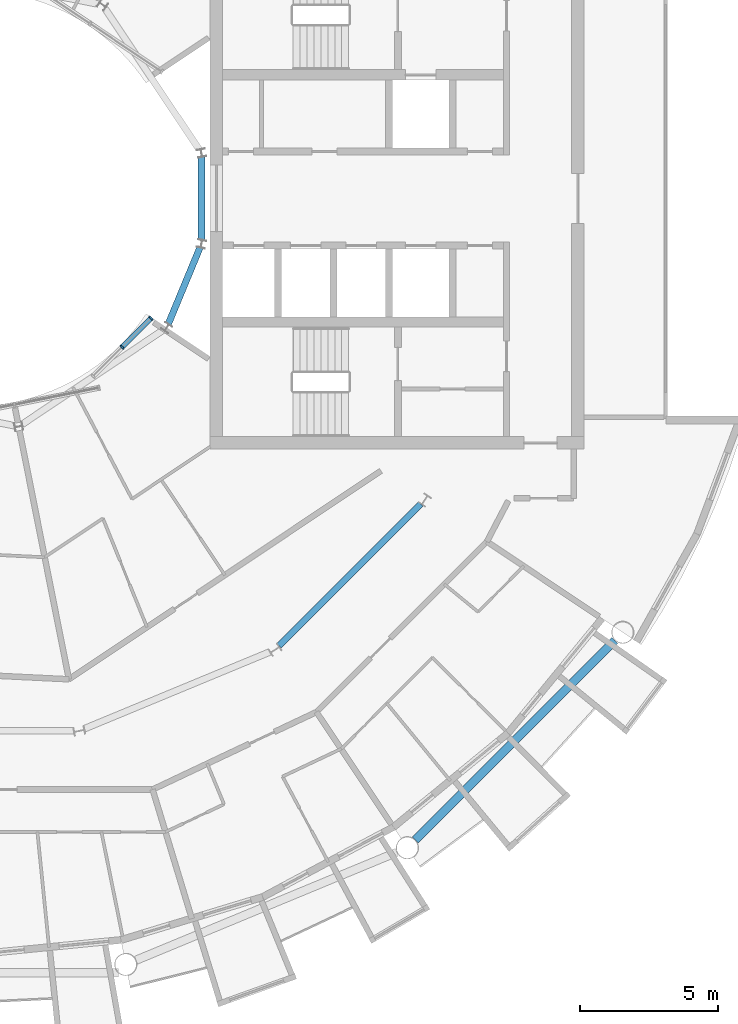
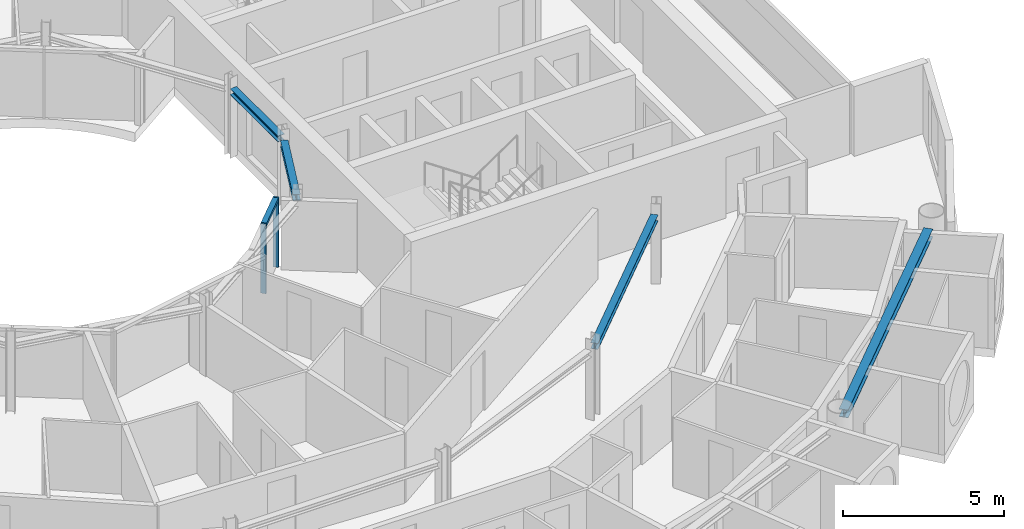
# One storey, part 8 of 28: 4 beams, 3 members, 1 element without a shape of its own.
"""IFC4 building model written with IfcOpenShell, lengths in metres."""

import ifcopenshell
import ifcopenshell.guid

model = None  # the IFC model being written
_history = None  # IfcOwnerHistory: only IFC2X3 demands one
_inside = {}  # id of a spatial element -> (the spatial element, [elements in it])
_under = {}  # id of a project, library or spatial element -> (it, [spatial elements below it])
_declared = {}  # id of a project -> (the project, [libraries it declares])
_typed = {}  # id of a type object -> (the type object, [elements of that type])
_made_of = {}  # id of a material, layer set ... -> (it, [elements and type objects made of it])


def new_model(schema):
    """Start an empty IFC model of exactly this schema.

    Asked for "IFC4X3", IfcOpenShell would pick the latest addendum, in which some entities
    have other attributes; the version numbers below select the first issue.
    IFC2X3 requires an IfcOwnerHistory on every rooted entity: one is made here for all.
    """
    global model, _history
    if schema == "IFC4X3":
        model = ifcopenshell.file(schema_version=(4, 3, 0, 0))
    else:
        model = ifcopenshell.file(schema=schema)
    _inside.clear()
    _under.clear()
    _declared.clear()
    _typed.clear()
    _made_of.clear()
    _history = None
    if model.schema == "IFC2X3":
        org = make("IfcOrganization", Name="unknown")
        user = make(
            "IfcPersonAndOrganization",
            ThePerson=make("IfcPerson", FamilyName="unknown"),
            TheOrganization=org,
        )
        app = make(
            "IfcApplication",
            ApplicationDeveloper=org,
            Version="unknown",
            ApplicationFullName="unknown",
            ApplicationIdentifier="unknown",
        )
        _history = make(
            "IfcOwnerHistory",
            OwningUser=user,
            OwningApplication=app,
            ChangeAction="ADDED",
            CreationDate=0,
        )
    return model


def make(cls, **values):
    """One entity of the class cls with the attributes given. An attribute that is None is left unset."""
    return model.create_entity(
        cls, **{name: value for name, value in values.items() if value is not None}
    )


def rooted(cls, **values):
    """An entity with a GlobalId (a new one), such as an element, a storey or a relation."""
    return make(cls, GlobalId=ifcopenshell.guid.new(), OwnerHistory=_history, **values)


def si_unit(unit_type, name, prefix=None):
    """IfcSIUnit, for example si_unit("LENGTHUNIT", "METRE", prefix="MILLI")."""
    return make("IfcSIUnit", UnitType=unit_type, Prefix=prefix, Name=name)


def assignment(units):
    """IfcUnitAssignment: the units of a project."""
    return None if units is None else make("IfcUnitAssignment", Units=units)


def point(xyz):
    """IfcCartesianPoint."""
    return None if xyz is None else make("IfcCartesianPoint", Coordinates=xyz)


def direction(xyz):
    """IfcDirection."""
    return None if xyz is None else make("IfcDirection", DirectionRatios=xyz)


def frame(location, z_axis=None, x_axis=None):
    """IfcAxis2Placement3D, a coordinate frame: its origin and axes. An axis left out is left unset."""
    return make(
        "IfcAxis2Placement3D",
        Location=point(location),
        Axis=direction(z_axis),
        RefDirection=direction(x_axis),
    )


def frame_2d(location, x_axis=None):
    """IfcAxis2Placement2D, a coordinate frame in the plane: its origin and x axis."""
    return make(
        "IfcAxis2Placement2D", Location=point(location), RefDirection=direction(x_axis)
    )


def origin():
    """The frame at (0, 0, 0) with its axes left unset."""
    return frame((0.0, 0.0, 0.0))


def origin_2d():
    """The frame at (0, 0) in the plane with its x axis left unset."""
    return frame_2d((0.0, 0.0))


def place(relative_to, where):
    """IfcLocalPlacement: puts the frame where relative to a parent placement (None: the world)."""
    return make(
        "IfcLocalPlacement", PlacementRelTo=relative_to, RelativePlacement=where
    )


def context(
    kind, dimensions, precision=None, world=None, true_north=None, identifier=None
):
    """IfcGeometricRepresentationContext, for example the 3D "Model" context."""
    return make(
        "IfcGeometricRepresentationContext",
        ContextIdentifier=identifier,
        ContextType=kind,
        CoordinateSpaceDimension=dimensions,
        Precision=precision,
        WorldCoordinateSystem=world,
        TrueNorth=true_north,
    )


def subcontext(parent, identifier, kind, view, scale=None):
    """IfcGeometricRepresentationSubContext, for example "Body" below "Model"."""
    return make(
        "IfcGeometricRepresentationSubContext",
        ContextIdentifier=identifier,
        ContextType=kind,
        ParentContext=parent,
        TargetScale=scale,
        TargetView=view,
    )


def project(units=None, contexts=None):
    """IfcProject with its units and contexts."""
    return rooted(
        "IfcProject",
        Name="project",
        RepresentationContexts=contexts,
        UnitsInContext=assignment(units),
    )


def spatial(cls, under=None, at=None, **own):
    """A site, building, storey or space (cls), placed at a placement, below another one or the project."""
    s = rooted(cls, ObjectPlacement=at, **own)
    if under is not None:
        _under.setdefault(under.id(), (under, []))[1].append(s)
    return s


def profile(cls, at=None, kind="AREA", **sizes):
    """A parametric profile (cls). Its sizes go by their IFC names, for example OverallWidth=200.0."""
    return make(cls, ProfileType=kind, Position=at, **sizes)


def rectangle(**sizes):
    """IfcRectangleProfileDef."""
    return profile("IfcRectangleProfileDef", **sizes)


def i_section(**sizes):
    """IfcIShapeProfileDef."""
    return profile("IfcIShapeProfileDef", **sizes)


def extrude(swept, where, along, depth):
    """IfcExtrudedAreaSolid: the profile swept, set in the frame where, extruded along a direction by depth."""
    return make(
        "IfcExtrudedAreaSolid",
        SweptArea=swept,
        Position=where,
        ExtrudedDirection=direction(along),
        Depth=depth,
    )


def shape(context_of_items, identifier, shape_type, items):
    """IfcShapeRepresentation: the items that make up one representation, for example the "Body"."""
    return make(
        "IfcShapeRepresentation",
        ContextOfItems=context_of_items,
        RepresentationIdentifier=identifier,
        RepresentationType=shape_type,
        Items=items,
    )


def material(Name=None, Category=None):
    """IfcMaterial."""
    return make("IfcMaterial", Name=Name, Category=Category)


def layer(
    of_material, thickness, ventilated=None, Name=None, Category=None, Priority=None
):
    """IfcMaterialLayer: one layer of a wall or slab, of a material (None: an air gap)."""
    return make(
        "IfcMaterialLayer",
        Material=of_material,
        LayerThickness=thickness,
        IsVentilated=ventilated,
        Name=Name,
        Category=Category,
        Priority=Priority,
    )


def layer_set(layers, Name=None):
    """IfcMaterialLayerSet."""
    return make("IfcMaterialLayerSet", MaterialLayers=layers, LayerSetName=Name)


def material_profile(
    of_material, cross_section, Name=None, Category=None, Priority=None
):
    """IfcMaterialProfile: a cross section and its material."""
    return make(
        "IfcMaterialProfile",
        Name=Name,
        Material=of_material,
        Profile=cross_section,
        Priority=Priority,
        Category=Category,
    )


def profile_set(profiles, Name=None, composite=None):
    """IfcMaterialProfileSet."""
    return make(
        "IfcMaterialProfileSet",
        Name=Name,
        MaterialProfiles=profiles,
        CompositeProfile=composite,
    )


def made_of(thing, what):
    """Note that an element or type object is made of a material, layer set ...; save() writes the relation."""
    if what is not None:
        _made_of.setdefault(what.id(), (what, []))[1].append(thing)
    return thing


def type_object(cls, material=None, **own):
    """A type object (cls), such as IfcWallType, which elements share."""
    return made_of(rooted(cls, **own), material)


def element(
    cls,
    number,
    at=None,
    inside=None,
    cuts=None,
    type_object=None,
    material=None,
    context=None,
    identifier="Body",
    shape_type=None,
    held_by="IfcProductDefinitionShape",
    body=None,
    shapes=None,
    **own,
):
    """One element of the class cls, such as IfcWall. Its Tag is "e" and its number.

    at: its placement. inside: the storey or other place that contains it. cuts: it is an
    opening in that element (IfcRelVoidsElement). A single representation is given by context,
    identifier, shape_type and body (its items); several are given by shapes. held_by: the class
    of the entity that holds the representations. save() writes the other relations.
    """
    e = rooted(cls, Tag="e%d" % number, ObjectPlacement=at, **own)
    if body is not None:
        shapes = [shape(context, identifier, shape_type, body)]
    if shapes is not None:
        e.Representation = make(held_by, Representations=shapes)
    if inside is not None:
        _inside.setdefault(inside.id(), (inside, []))[1].append(e)
    if cuts is not None:
        rooted(
            "IfcRelVoidsElement", RelatingBuildingElement=cuts, RelatedOpeningElement=e
        )
    if type_object is not None:
        _typed.setdefault(type_object.id(), (type_object, []))[1].append(e)
    return made_of(e, material)


def aggregate(whole, parts):
    """IfcRelAggregates: a whole, such as a stair, and the parts it consists of."""
    return rooted("IfcRelAggregates", RelatingObject=whole, RelatedObjects=parts)


def save(model, path):
    """Write the relations noted so far, then the file.

    IfcRelAggregates (storeys below a building ...), IfcRelContainedInSpatialStructure (elements
    in a storey), IfcRelDefinesByType, IfcRelAssociatesMaterial and IfcRelDeclares: one each for
    every whole, place, type object, material and project.
    """
    for whole, parts in _under.values():
        aggregate(whole, parts)
    for where, things in _inside.values():
        rooted(
            "IfcRelContainedInSpatialStructure",
            RelatedElements=things,
            RelatingStructure=where,
        )
    for kind, things in _typed.values():
        rooted("IfcRelDefinesByType", RelatedObjects=things, RelatingType=kind)
    for what, things in _made_of.values():
        rooted("IfcRelAssociatesMaterial", RelatedObjects=things, RelatingMaterial=what)
    for by, libraries in _declared.values():
        rooted("IfcRelDeclares", RelatingContext=by, RelatedDefinitions=libraries)
    model.write(path)


model = new_model("IFC4")

# Units and contexts
model_context = context("Model", 3, precision=1e-05, world=origin(), true_north=direction((0.0, 1.0)))
body_context = subcontext(model_context, "Body", "Model", "MODEL_VIEW")
ifc_project = project(units=[si_unit("LENGTHUNIT", "METRE"), si_unit("AREAUNIT", "SQUARE_METRE"), si_unit("VOLUMEUNIT", "CUBIC_METRE"), si_unit("PLANEANGLEUNIT", "RADIAN"), si_unit("MASSUNIT", "GRAM", prefix="KILO")], contexts=[model_context])

# Site, building, storey
site_placement = place(None, origin())
site = spatial("IfcSite", under=ifc_project, at=site_placement, CompositionType="ELEMENT")
building_placement = place(site_placement, origin())
building = spatial("IfcBuilding", under=site, at=building_placement, Name="Maasbend Ring Residences", CompositionType="ELEMENT")
storey_placement = place(building_placement, frame((0.0, 0.0, 218.800048828125)))
storey = spatial("IfcBuildingStorey", under=building, at=storey_placement, Name="L63", CompositionType="ELEMENT", Elevation=218.800048828125)

# Curtain wall, members
ifc_material_1 = material(Name="Aluminium and clear glass", Category="aluminium")
ifc_layer = layer(ifc_material_1, 0.179931640625)
ifc_layer_set = layer_set([ifc_layer], Name="CW-W")
curtain_wall_type = type_object("IfcCurtainWallType", Name="CW-W", PredefinedType="NOTDEFINED", material=ifc_layer_set)
curtain_wall_placement = place(storey_placement, origin())
curtain_wall = element("IfcCurtainWall", 1, at=curtain_wall_placement, inside=storey, type_object=curtain_wall_type, Name="Well curtain wall S3", PredefinedType="NOTDEFINED")
ifc_material_2 = material(Name="Aluminium 6063-T6", Category="aluminium")
ifc_material_profile_1 = material_profile(ifc_material_2, rectangle(XDim=0.179931640625, YDim=0.06005859375, at=origin_2d()), Name="AL 180x60")
ifc_profile_set_1 = profile_set([ifc_material_profile_1], Name="Aluminium 6063-T6")
member_type_1 = type_object("IfcMemberType", Name="CWM-W", PredefinedType="MULLION", material=ifc_profile_set_1)
member_1_placement = place(storey_placement, frame((5.366943359375, -5.366943359375, 0.0), z_axis=(0.0, 0.0, 1.0), x_axis=(-0.707106781187, 0.707106781187, 0.0)))
member_1 = element("IfcMember", 2, at=member_1_placement, type_object=member_type_1, Name="Mullion well face", PredefinedType="MULLION", context=body_context, shape_type="SweptSolid", body=[
    extrude(rectangle(XDim=0.179931640625, YDim=0.06005859375, at=origin_2d()), origin(), (0.0, 0.0, 1.0), 2.64990234375),
])
member_2_placement = place(storey_placement, frame((6.413330078125, -4.320556640625, 0.0), z_axis=(0.0, 0.0, 1.0), x_axis=(-0.707106781187, 0.707106781187, 0.0)))
member_2 = element("IfcMember", 3, at=member_2_placement, type_object=member_type_1, Name="Mullion well face", PredefinedType="MULLION", context=body_context, shape_type="SweptSolid", body=[
    extrude(rectangle(XDim=0.179931640625, YDim=0.06005859375, at=origin_2d()), origin(), (0.0, 0.0, 1.0), 2.64990234375),
])
ifc_material_3 = material(Name="Aluminium 6063-T6", Category="aluminium")
ifc_material_profile_2 = material_profile(ifc_material_3, rectangle(XDim=0.179931640625, YDim=0.1201171875, at=origin_2d()), Name="AL 180x120")
ifc_profile_set_2 = profile_set([ifc_material_profile_2], Name="Aluminium 6063-T6")
member_type_2 = type_object("IfcMemberType", Name="CWT-W", PredefinedType="USERDEFINED", material=ifc_profile_set_2)
member_3_placement = place(storey_placement, frame((5.38818359375, -5.345703125, 2.58984375), z_axis=(0.707106781187, 0.707106781187, 0.0), x_axis=(-0.707106781187, 0.707106781187, 0.0)))
member_3 = element("IfcMember", 4, at=member_3_placement, type_object=member_type_2, Name="Transom well face", ObjectType="TRANSOM", PredefinedType="USERDEFINED", context=body_context, shape_type="SweptSolid", body=[
    extrude(rectangle(XDim=0.179931640625, YDim=0.1201171875, at=origin_2d()), origin(), (0.0, 0.0, 1.0), 1.419677734375),
])
aggregate(curtain_wall, [member_1, member_2, member_3])

# Beams
ifc_material_4 = material(Name="Steel S355J2", Category="steel")
ifc_material_profile_3 = material_profile(ifc_material_4, i_section(OverallWidth=0.239990234375, OverallDepth=0.22998046875, WebThickness=0.007568359375, FlangeThickness=0.011962890625, FilletRadius=0.02099609375, at=origin_2d()), Name="HEA 240")
ifc_profile_set_3 = profile_set([ifc_material_profile_3], Name="Steel S355J2")
beam_type_1 = type_object("IfcBeamType", Name="Corridor ring beam HEA 240", PredefinedType="BEAM", material=ifc_profile_set_3)
beam_1_placement = place(storey_placement, frame((11.033447265625, -16.152587890625, 2.534912109375), z_axis=(0.707106781187, 0.707106781187, 0.0), x_axis=(-0.707106781187, 0.707106781187, 0.0)))
element("IfcBeam", 5, at=beam_1_placement, inside=storey, type_object=beam_type_1, Name="Corridor ring beam", PredefinedType="BEAM", context=body_context, shape_type="SweptSolid", body=[
    extrude(i_section(OverallWidth=0.239990234375, OverallDepth=0.22998046875, WebThickness=0.007568359375, FlangeThickness=0.011962890625, FilletRadius=0.02099609375, at=origin_2d()), origin(), (0.0, 0.0, 1.0), 7.239501953125),
])
ifc_material_5 = material(Name="Steel S355J2", Category="steel")
ifc_material_profile_4 = material_profile(ifc_material_5, i_section(OverallWidth=0.300048828125, OverallDepth=0.300048828125, WebThickness=0.010986328125, FlangeThickness=0.01904296875, FilletRadius=0.027099609375, at=origin_2d()), Name="HEB 300")
ifc_profile_set_4 = profile_set([ifc_material_profile_4], Name="Steel S355J2")
beam_type_2 = type_object("IfcBeamType", Name="Spandrel ring beam HEB 300", PredefinedType="SPANDREL", material=ifc_profile_set_4)
beam_2_placement = place(storey_placement, frame((15.95458984375, -23.159912109375, 2.5), z_axis=(0.707106781187, 0.707106781187, 0.0), x_axis=(-0.707106781187, 0.707106781187, 0.0)))
element("IfcBeam", 6, at=beam_2_placement, inside=storey, type_object=beam_type_2, Name="Spandrel ring beam", PredefinedType="SPANDREL", context=body_context, shape_type="SweptSolid", body=[
    extrude(i_section(OverallWidth=0.300048828125, OverallDepth=0.300048828125, WebThickness=0.010986328125, FlangeThickness=0.01904296875, FilletRadius=0.027099609375, at=origin_2d()), origin(), (0.0, 0.0, 1.0), 10.18994140625),
])
ifc_material_6 = material(Name="Steel S355J2", Category="steel")
ifc_material_profile_5 = material_profile(ifc_material_6, i_section(OverallWidth=0.239990234375, OverallDepth=0.22998046875, WebThickness=0.007568359375, FlangeThickness=0.011962890625, FilletRadius=0.02099609375, at=origin_2d()), Name="HEA 240")
ifc_profile_set_5 = profile_set([ifc_material_profile_5], Name="Steel S355J2")
beam_type_3 = type_object("IfcBeamType", Name="Well edge beam HEA 240", PredefinedType="BEAM", material=ifc_profile_set_5)
beam_3_placement = place(storey_placement, frame((7.041015625, -4.5302734375, 2.534912109375), z_axis=(0.382614534057, 0.923908068115, 0.0), x_axis=(-0.923908068115, 0.382614534057, 0.0)))
element("IfcBeam", 7, at=beam_3_placement, inside=storey, type_object=beam_type_3, Name="Well edge beam", PredefinedType="BEAM", context=body_context, shape_type="SweptSolid", body=[
    extrude(i_section(OverallWidth=0.239990234375, OverallDepth=0.22998046875, WebThickness=0.007568359375, FlangeThickness=0.011962890625, FilletRadius=0.02099609375, at=origin_2d()), origin(), (0.0, 0.0, 1.0), 2.981689453125),
])
beam_4_placement = place(storey_placement, frame((8.238525390625, -1.490966796875, 2.534912109375), z_axis=(0.0, 1.0, 0.0), x_axis=(-1.0, 0.0, 0.0)))
element("IfcBeam", 8, at=beam_4_placement, inside=storey, type_object=beam_type_3, Name="Well edge beam", PredefinedType="BEAM", context=body_context, shape_type="SweptSolid", body=[
    extrude(i_section(OverallWidth=0.239990234375, OverallDepth=0.22998046875, WebThickness=0.007568359375, FlangeThickness=0.011962890625, FilletRadius=0.02099609375, at=origin_2d()), origin(), (0.0, 0.0, 1.0), 2.98193359375),
])

save(model, "model.ifc")
